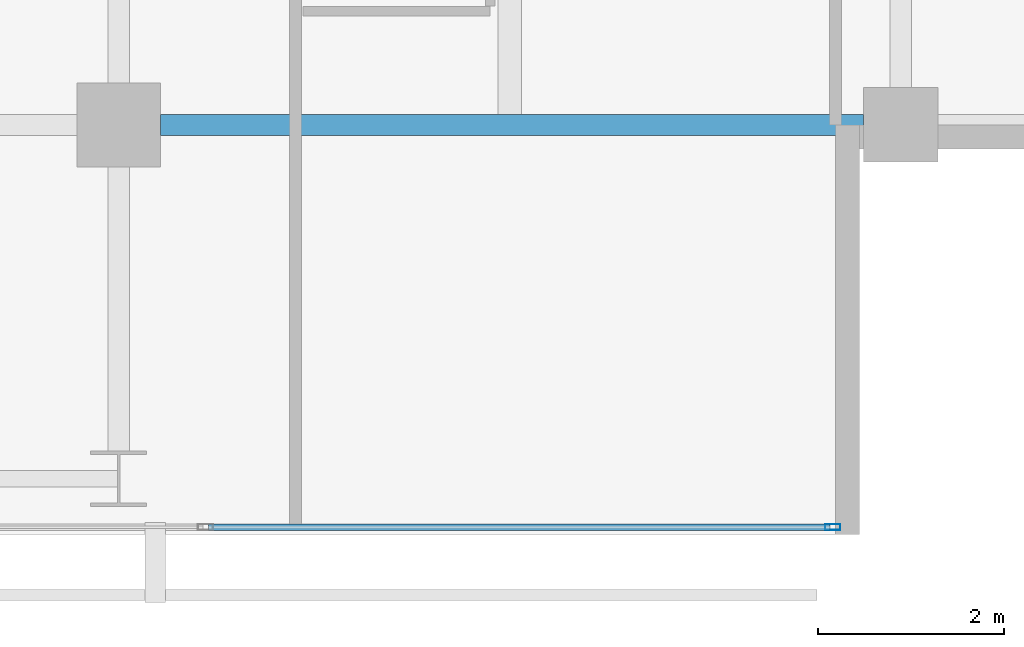
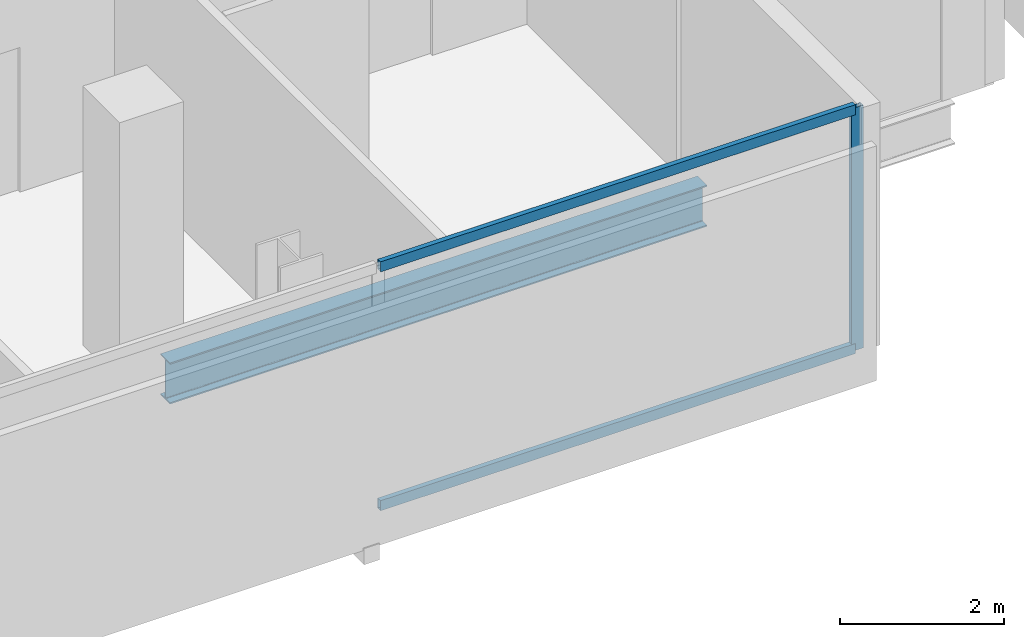
# One storey, part 13 of 34: 3 members, 1 beam, 1 element without a shape of its own.
"""IFC4 building model written with IfcOpenShell, lengths in metres."""

from ifc_helpers import new_model, si_unit, direction, frame, origin, origin_2d, place, context, subcontext, project, spatial, hollow_rectangle, i_section, extrude, material, layer, layer_set, material_profile, profile_set, type_object, element, aggregate, save


model = new_model("IFC4")

# Units and contexts
model_context = context("Model", 3, precision=1e-05, world=origin(), true_north=direction((0.0, 1.0)))
body_context = subcontext(model_context, "Body", "Model", "MODEL_VIEW")
ifc_project = project(units=[si_unit("LENGTHUNIT", "METRE"), si_unit("AREAUNIT", "SQUARE_METRE"), si_unit("VOLUMEUNIT", "CUBIC_METRE"), si_unit("PLANEANGLEUNIT", "RADIAN"), si_unit("MASSUNIT", "GRAM", prefix="KILO")], contexts=[model_context])

# Site, building, storey
site_placement = place(None, origin())
site = spatial("IfcSite", under=ifc_project, at=site_placement, CompositionType="ELEMENT")
building_placement = place(site_placement, origin())
building = spatial("IfcBuilding", under=site, at=building_placement, Name="Maruvema Waterfront Hotel and Observation Tower", CompositionType="ELEMENT")
storey_placement = place(building_placement, frame((0.0, 0.0, 135.10009765625)))
storey = spatial("IfcBuildingStorey", under=building, at=storey_placement, Name="L32", CompositionType="ELEMENT", Elevation=135.10009765625)

# Curtain wall, members
ifc_material_1 = material(Name="Anodised bronze aluminium and solar-control low-E IGU", Category="aluminium")
ifc_layer = layer(ifc_material_1, 0.159912109375, Name="Zone 2 Amber Inner Thermal Curtain Wall System CW-03")
ifc_layer_set = layer_set([ifc_layer], Name="Anodised bronze aluminium and solar-control low-E IGU")
curtain_wall_type = type_object("IfcCurtainWallType", Name="Zone 2 Amber Inner Thermal Curtain Wall System CW-03", PredefinedType="USERDEFINED", material=ifc_layer_set)
curtain_wall_placement = place(storey_placement, origin())
curtain_wall = element("IfcCurtainWall", 1, at=curtain_wall_placement, inside=storey, type_object=curtain_wall_type, Name="L32 Curtain Wall CW-L32-S", ObjectType="UNITISED CURTAIN WALL", PredefinedType="USERDEFINED")
ifc_material_2 = material(Name="Anodised architectural bronze aluminium", Category="aluminium")
ifc_material_profile_1 = material_profile(ifc_material_2, hollow_rectangle(XDim=0.070068359375, YDim=0.14990234375, WallThickness=0.00390625, at=origin_2d()), Name="ALU-T70x150")
ifc_profile_set_1 = profile_set([ifc_material_profile_1], Name="Anodised architectural bronze aluminium")
member_type_1 = type_object("IfcMemberType", Name="Curtain Wall Horizontal Transom ALU-T70x150", PredefinedType="USERDEFINED", material=ifc_profile_set_1)
member_1_placement = place(storey_placement, frame((51.36328125, 4.679931640625, 0.02978515625), z_axis=(1.0, 0.0, 0.0), x_axis=(0.0, 1.0, 0.0)))
member_1 = element("IfcMember", 2, at=member_1_placement, type_object=member_type_1, Name="CW-03 transom 6.1", ObjectType="TRANSOM", PredefinedType="USERDEFINED", context=body_context, shape_type="SweptSolid", body=[
    extrude(hollow_rectangle(XDim=0.070068359375, YDim=0.14990234375, WallThickness=0.00390625, at=origin_2d()), origin(), (0.0, 0.0, 1.0), 6.6767578125),
])
member_2_placement = place(storey_placement, frame((51.36328125, 4.679931640625, 3.579833984375), z_axis=(1.0, 0.0, 0.0), x_axis=(0.0, 1.0, 0.0)))
member_2 = element("IfcMember", 3, at=member_2_placement, type_object=member_type_1, Name="CW-03 transom 6.2", ObjectType="TRANSOM", PredefinedType="USERDEFINED", context=body_context, shape_type="SweptSolid", body=[
    extrude(hollow_rectangle(XDim=0.070068359375, YDim=0.14990234375, WallThickness=0.00390625, at=origin_2d()), origin(), (0.0, 0.0, 1.0), 6.6767578125),
])
ifc_material_3 = material(Name="Anodised architectural bronze aluminium", Category="aluminium")
ifc_material_profile_2 = material_profile(ifc_material_3, hollow_rectangle(XDim=0.06494140625, YDim=0.1650390625, WallThickness=0.00390625, at=origin_2d()), Name="ALU-M65x165")
ifc_profile_set_2 = profile_set([ifc_material_profile_2], Name="Anodised architectural bronze aluminium")
member_type_2 = type_object("IfcMemberType", Name="Curtain Wall Primary Mullion ALU-M65x165", PredefinedType="MULLION", material=ifc_profile_set_2)
member_3_placement = place(storey_placement, frame((58.070068359375, 4.679931640625, 0.0), z_axis=(0.0, 0.0, 1.0), x_axis=(0.0, 1.0, 0.0)))
member_3 = element("IfcMember", 4, at=member_3_placement, type_object=member_type_2, Name="CW-03 mullion 7", PredefinedType="MULLION", context=body_context, shape_type="SweptSolid", body=[
    extrude(hollow_rectangle(XDim=0.06494140625, YDim=0.1650390625, WallThickness=0.00390625, at=origin_2d()), origin(), (0.0, 0.0, 1.0), 3.60986328125),
])
aggregate(curtain_wall, [member_3, member_1, member_2])

# Beam
ifc_material_4 = material(Name="Steel ASTM A572 Grade 50", Category="steel")
ifc_material_profile_3 = material_profile(ifc_material_4, i_section(OverallWidth=0.22900390625, OverallDepth=0.612060546875, WebThickness=0.011962890625, FlangeThickness=0.01953125, FilletRadius=0.01806640625, at=origin_2d()), Name="W610x125.0")
ifc_profile_set_3 = profile_set([ifc_material_profile_3], Name="Steel ASTM A572 Grade 50")
beam_type = type_object("IfcBeamType", Name="Primary Floor Girder W610x125.0", PredefinedType="BEAM", material=ifc_profile_set_3)
beam_placement = place(storey_placement, frame((50.85009765625, 9.0, -0.546142578125), z_axis=(1.0, 0.0, 0.0), x_axis=(0.0, 1.0, 0.0)))
element("IfcBeam", 5, at=beam_placement, inside=storey, type_object=beam_type, Name="L32 Floor Girder EW-09", PredefinedType="BEAM", context=body_context, shape_type="SweptSolid", body=[
    extrude(i_section(OverallWidth=0.22900390625, OverallDepth=0.612060546875, WebThickness=0.011962890625, FlangeThickness=0.01953125, FilletRadius=0.01806640625, at=origin_2d()), origin(), (0.0, 0.0, 1.0), 7.5498046875),
])

save(model, "model.ifc")
